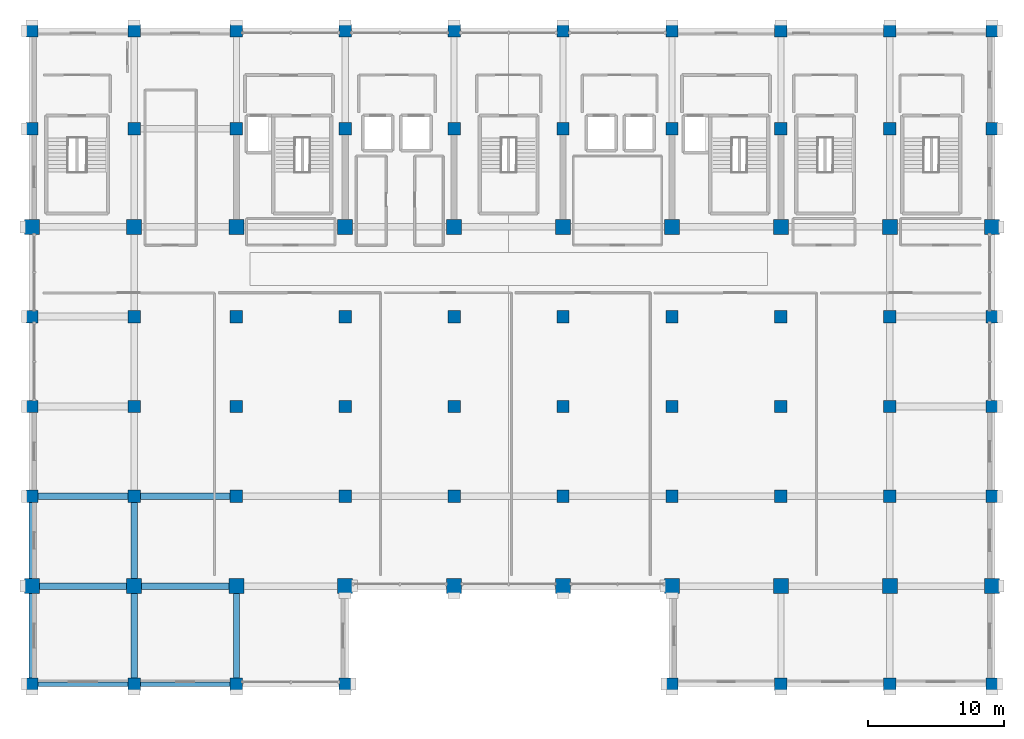
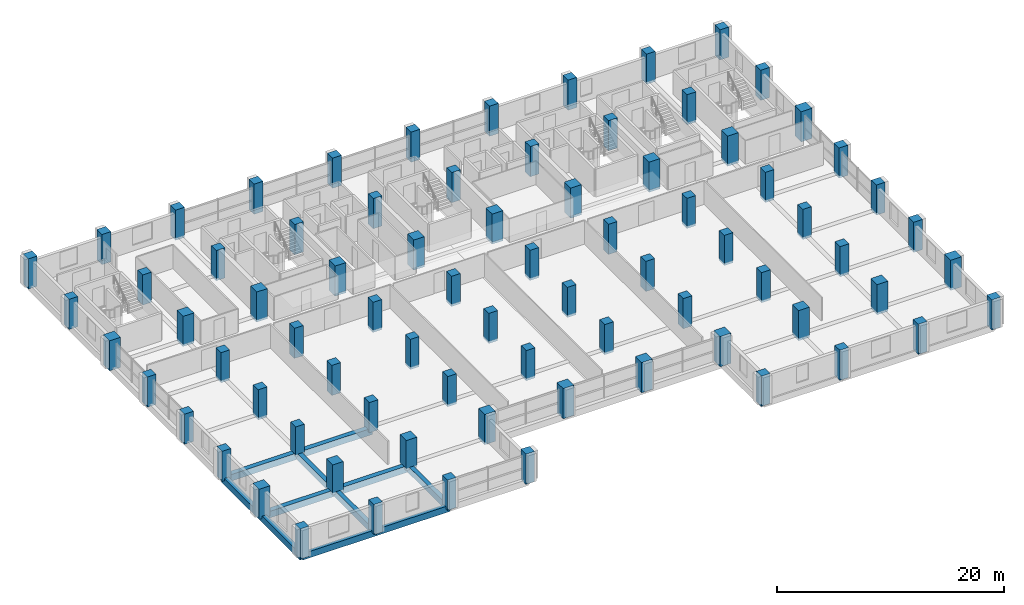
# One storey, part 1 of 21: 78 columns, 11 beams.
"""IFC4 building model written with IfcOpenShell, lengths in metres."""

from ifc_helpers import new_model, si_unit, direction, frame, origin, origin_2d, place, context, subcontext, project, spatial, rectangle, extrude, material, material_profile, profile_set, type_object, element, save


model = new_model("IFC4")

# Units and contexts
model_context = context("Model", 3, precision=1e-05, world=origin(), true_north=direction((0.0, 1.0)))
body_context = subcontext(model_context, "Body", "Model", "MODEL_VIEW")
ifc_project = project(units=[si_unit("LENGTHUNIT", "METRE"), si_unit("AREAUNIT", "SQUARE_METRE"), si_unit("VOLUMEUNIT", "CUBIC_METRE"), si_unit("PLANEANGLEUNIT", "RADIAN"), si_unit("MASSUNIT", "GRAM", prefix="KILO")], contexts=[model_context])

# Site, building, storey
site_placement = place(None, origin())
site = spatial("IfcSite", under=ifc_project, at=site_placement, CompositionType="ELEMENT")
building_placement = place(site_placement, origin())
building = spatial("IfcBuilding", under=site, at=building_placement, Name="Akrevak Sports Hall", CompositionType="ELEMENT")
storey_placement = place(building_placement, frame((0.0, 0.0, 34.050048828125)))
storey = spatial("IfcBuildingStorey", under=building, at=storey_placement, Name="L07", CompositionType="ELEMENT", Elevation=34.050048828125)

# Columns
ifc_material_1 = material(Name="Concrete C50/60", Category="concrete")
ifc_material_profile_1 = material_profile(ifc_material_1, rectangle(XDim=1.10009765625, YDim=1.10009765625, at=origin_2d()), Name="RC 1100x1100", Category="concrete")
ifc_profile_set_1 = profile_set([ifc_material_profile_1], Name="Concrete C50/60")
column_type_1 = type_object("IfcColumnType", Name="STR-COL-RC1100", PredefinedType="COLUMN", material=ifc_profile_set_1)
for number, where, z_axis, x_axis, name in (
    (1, (45.0, 28.800048828125, -0.25), (0.0, 0.0, 1.0), (1.0, 0.0, 0.0), "Column 7/E (L07)"),
    (2, (45.0, 55.199951171875, -0.25), (0.0, 0.0, 1.0), (1.0, 0.0, 0.0), "Column 7/I (L07)"),
    (3, (52.5, 28.800048828125, -0.25), (0.0, 0.0, 1.0), (1.0, 0.0, 0.0), "Column 8/E (L07)"),
    (4, (52.5, 55.199951171875, -0.25), (0.0, 0.0, 1.0), (1.0, 0.0, 0.0), "Column 8/I (L07)"),
    (5, (60.0, 28.800048828125, -0.25), (0.0, 0.0, 1.0), (1.0, 0.0, 0.0), "Column 9/E (L07)"),
    (6, (60.0, 55.199951171875, -0.25), (0.0, 0.0, 1.0), (1.0, 0.0, 0.0), "Column 9/I (L07)"),
    (7, (68.0, 28.800048828125, -0.25), (0.0, 0.0, 1.0), (1.0, 0.0, 0.0), "Column 10/E (L07)"),
    (8, (68.0, 55.199951171875, -0.25), (0.0, 0.0, 1.0), (1.0, 0.0, 0.0), "Column 10/I (L07)"),
    (9, (76.0, 28.800048828125, -0.25), (0.0, 0.0, 1.0), (1.0, 0.0, 0.0), "Column 11/E (L07)"),
    (10, (76.0, 55.199951171875, -0.25), (0.0, 0.0, 1.0), (1.0, 0.0, 0.0), "Column 11/I (L07)"),
    (11, (84.0, 28.800048828125, -0.25), (0.0, 0.0, 1.0), (1.0, 0.0, 0.0), "Column 12/E (L07)"),
    (12, (84.0, 55.199951171875, -0.25), (0.0, 0.0, 1.0), (1.0, 0.0, 0.0), "Column 12/I (L07)"),
    (13, (92.0, 28.800048828125, -0.25), (0.0, 0.0, 1.0), (1.0, 0.0, 0.0), "Column 13/E (L07)"),
    (14, (92.0, 55.199951171875, -0.25), (0.0, 0.0, 1.0), (1.0, 0.0, 0.0), "Column 13/I (L07)"),
    (15, (100.0, 28.800048828125, -0.25), (0.0, 0.0, 1.0), (1.0, 0.0, 0.0), "Column 14/E (L07)"),
    (16, (100.0, 55.199951171875, -0.25), (0.0, 0.0, 1.0), (1.0, 0.0, 0.0), "Column 14/I (L07)"),
    (17, (108.0, 28.800048828125, -0.25), (0.0, 0.0, 1.0), (1.0, 0.0, 0.0), "Column 15/E (L07)"),
    (18, (108.0, 55.199951171875, -0.25), (0.0, 0.0, 1.0), (1.0, 0.0, 0.0), "Column 15/I (L07)"),
    (19, (115.5, 28.800048828125, -0.25), (0.0, 0.0, 1.0), (1.0, 0.0, 0.0), "Column 16/E (L07)"),
    (20, (115.5, 55.199951171875, -0.25), (0.0, 0.0, 1.0), (1.0, 0.0, 0.0), "Column 16/I (L07)"),
):
    element("IfcColumn", number, at=place(storey_placement, frame(where, z_axis=z_axis, x_axis=x_axis)), inside=storey, type_object=column_type_1, Name=name, PredefinedType="COLUMN", context=body_context, shape_type="SweptSolid", body=[
        extrude(rectangle(XDim=1.10009765625, YDim=1.10009765625, at=origin_2d()), origin(), (0.0, 0.0, 1.0), 3.25),
    ])
ifc_material_2 = material(Name="Concrete C40/50", Category="concrete")
ifc_material_profile_2 = material_profile(ifc_material_2, rectangle(XDim=0.89990234375, YDim=0.89990234375, at=origin_2d()), Name="RC 900x900", Category="concrete")
ifc_profile_set_2 = profile_set([ifc_material_profile_2], Name="Concrete C40/50")
column_type_2 = type_object("IfcColumnType", Name="STR-COL-RC900", PredefinedType="COLUMN", material=ifc_profile_set_2)
for number, where, z_axis, x_axis, name in (
    (21, (45.0, 21.60009765625, -0.25), (0.0, 0.0, 1.0), (1.0, 0.0, 0.0), "Column 7/D (L07)"),
    (22, (45.0, 35.39990234375, -0.25), (0.0, 0.0, 1.0), (1.0, 0.0, 0.0), "Column 7/F (L07)"),
    (23, (45.0, 42.0, -0.25), (0.0, 0.0, 1.0), (1.0, 0.0, 0.0), "Column 7/G (L07)"),
    (24, (45.0, 48.60009765625, -0.25), (0.0, 0.0, 1.0), (1.0, 0.0, 0.0), "Column 7/H (L07)"),
    (25, (45.0, 62.39990234375, -0.25), (0.0, 0.0, 1.0), (1.0, 0.0, 0.0), "Column 7/J (L07)"),
    (26, (45.0, 69.60009765625, -0.25), (0.0, 0.0, 1.0), (1.0, 0.0, 0.0), "Column 7/K (L07)"),
    (27, (52.5, 21.60009765625, -0.25), (0.0, 0.0, 1.0), (1.0, 0.0, 0.0), "Column 8/D (L07)"),
    (28, (52.5, 35.39990234375, -0.25), (0.0, 0.0, 1.0), (1.0, 0.0, 0.0), "Column 8/F (L07)"),
    (29, (52.5, 42.0, -0.25), (0.0, 0.0, 1.0), (1.0, 0.0, 0.0), "Column 8/G (L07)"),
    (30, (52.5, 48.60009765625, -0.25), (0.0, 0.0, 1.0), (1.0, 0.0, 0.0), "Column 8/H (L07)"),
    (31, (52.5, 62.39990234375, -0.25), (0.0, 0.0, 1.0), (1.0, 0.0, 0.0), "Column 8/J (L07)"),
    (32, (52.5, 69.60009765625, -0.25), (0.0, 0.0, 1.0), (1.0, 0.0, 0.0), "Column 8/K (L07)"),
    (33, (60.0, 21.60009765625, -0.25), (0.0, 0.0, 1.0), (1.0, 0.0, 0.0), "Column 9/D (L07)"),
    (34, (60.0, 35.39990234375, -0.25), (0.0, 0.0, 1.0), (1.0, 0.0, 0.0), "Column 9/F (L07)"),
    (35, (60.0, 42.0, -0.25), (0.0, 0.0, 1.0), (1.0, 0.0, 0.0), "Column 9/G (L07)"),
    (36, (60.0, 48.60009765625, -0.25), (0.0, 0.0, 1.0), (1.0, 0.0, 0.0), "Column 9/H (L07)"),
    (37, (60.0, 62.39990234375, -0.25), (0.0, 0.0, 1.0), (1.0, 0.0, 0.0), "Column 9/J (L07)"),
    (38, (60.0, 69.60009765625, -0.25), (0.0, 0.0, 1.0), (1.0, 0.0, 0.0), "Column 9/K (L07)"),
    (39, (68.0, 21.60009765625, -0.25), (0.0, 0.0, 1.0), (1.0, 0.0, 0.0), "Column 10/D (L07)"),
    (40, (68.0, 35.39990234375, -0.25), (0.0, 0.0, 1.0), (1.0, 0.0, 0.0), "Column 10/F (L07)"),
    (41, (68.0, 42.0, -0.25), (0.0, 0.0, 1.0), (1.0, 0.0, 0.0), "Column 10/G (L07)"),
    (42, (68.0, 48.60009765625, -0.25), (0.0, 0.0, 1.0), (1.0, 0.0, 0.0), "Column 10/H (L07)"),
    (43, (68.0, 62.39990234375, -0.25), (0.0, 0.0, 1.0), (1.0, 0.0, 0.0), "Column 10/J (L07)"),
    (44, (68.0, 69.60009765625, -0.25), (0.0, 0.0, 1.0), (1.0, 0.0, 0.0), "Column 10/K (L07)"),
    (45, (76.0, 35.39990234375, -0.25), (0.0, 0.0, 1.0), (1.0, 0.0, 0.0), "Column 11/F (L07)"),
    (46, (76.0, 42.0, -0.25), (0.0, 0.0, 1.0), (1.0, 0.0, 0.0), "Column 11/G (L07)"),
    (47, (76.0, 48.60009765625, -0.25), (0.0, 0.0, 1.0), (1.0, 0.0, 0.0), "Column 11/H (L07)"),
    (48, (76.0, 62.39990234375, -0.25), (0.0, 0.0, 1.0), (1.0, 0.0, 0.0), "Column 11/J (L07)"),
    (49, (76.0, 69.60009765625, -0.25), (0.0, 0.0, 1.0), (1.0, 0.0, 0.0), "Column 11/K (L07)"),
    (50, (84.0, 35.39990234375, -0.25), (0.0, 0.0, 1.0), (1.0, 0.0, 0.0), "Column 12/F (L07)"),
    (51, (84.0, 42.0, -0.25), (0.0, 0.0, 1.0), (1.0, 0.0, 0.0), "Column 12/G (L07)"),
    (52, (84.0, 48.60009765625, -0.25), (0.0, 0.0, 1.0), (1.0, 0.0, 0.0), "Column 12/H (L07)"),
    (53, (84.0, 62.39990234375, -0.25), (0.0, 0.0, 1.0), (1.0, 0.0, 0.0), "Column 12/J (L07)"),
    (54, (84.0, 69.60009765625, -0.25), (0.0, 0.0, 1.0), (1.0, 0.0, 0.0), "Column 12/K (L07)"),
    (55, (92.0, 21.60009765625, -0.25), (0.0, 0.0, 1.0), (1.0, 0.0, 0.0), "Column 13/D (L07)"),
    (56, (92.0, 35.39990234375, -0.25), (0.0, 0.0, 1.0), (1.0, 0.0, 0.0), "Column 13/F (L07)"),
    (57, (92.0, 42.0, -0.25), (0.0, 0.0, 1.0), (1.0, 0.0, 0.0), "Column 13/G (L07)"),
    (58, (92.0, 48.60009765625, -0.25), (0.0, 0.0, 1.0), (1.0, 0.0, 0.0), "Column 13/H (L07)"),
    (59, (92.0, 62.39990234375, -0.25), (0.0, 0.0, 1.0), (1.0, 0.0, 0.0), "Column 13/J (L07)"),
    (60, (92.0, 69.60009765625, -0.25), (0.0, 0.0, 1.0), (1.0, 0.0, 0.0), "Column 13/K (L07)"),
    (61, (100.0, 21.60009765625, -0.25), (0.0, 0.0, 1.0), (1.0, 0.0, 0.0), "Column 14/D (L07)"),
    (62, (100.0, 35.39990234375, -0.25), (0.0, 0.0, 1.0), (1.0, 0.0, 0.0), "Column 14/F (L07)"),
    (63, (100.0, 42.0, -0.25), (0.0, 0.0, 1.0), (1.0, 0.0, 0.0), "Column 14/G (L07)"),
    (64, (100.0, 48.60009765625, -0.25), (0.0, 0.0, 1.0), (1.0, 0.0, 0.0), "Column 14/H (L07)"),
    (65, (100.0, 62.39990234375, -0.25), (0.0, 0.0, 1.0), (1.0, 0.0, 0.0), "Column 14/J (L07)"),
    (66, (100.0, 69.60009765625, -0.25), (0.0, 0.0, 1.0), (1.0, 0.0, 0.0), "Column 14/K (L07)"),
    (67, (108.0, 21.60009765625, -0.25), (0.0, 0.0, 1.0), (1.0, 0.0, 0.0), "Column 15/D (L07)"),
    (68, (108.0, 35.39990234375, -0.25), (0.0, 0.0, 1.0), (1.0, 0.0, 0.0), "Column 15/F (L07)"),
    (69, (108.0, 42.0, -0.25), (0.0, 0.0, 1.0), (1.0, 0.0, 0.0), "Column 15/G (L07)"),
    (70, (108.0, 48.60009765625, -0.25), (0.0, 0.0, 1.0), (1.0, 0.0, 0.0), "Column 15/H (L07)"),
    (71, (108.0, 62.39990234375, -0.25), (0.0, 0.0, 1.0), (1.0, 0.0, 0.0), "Column 15/J (L07)"),
    (72, (108.0, 69.60009765625, -0.25), (0.0, 0.0, 1.0), (1.0, 0.0, 0.0), "Column 15/K (L07)"),
    (73, (115.5, 21.60009765625, -0.25), (0.0, 0.0, 1.0), (1.0, 0.0, 0.0), "Column 16/D (L07)"),
    (74, (115.5, 35.39990234375, -0.25), (0.0, 0.0, 1.0), (1.0, 0.0, 0.0), "Column 16/F (L07)"),
    (75, (115.5, 42.0, -0.25), (0.0, 0.0, 1.0), (1.0, 0.0, 0.0), "Column 16/G (L07)"),
    (76, (115.5, 48.60009765625, -0.25), (0.0, 0.0, 1.0), (1.0, 0.0, 0.0), "Column 16/H (L07)"),
    (77, (115.5, 62.39990234375, -0.25), (0.0, 0.0, 1.0), (1.0, 0.0, 0.0), "Column 16/J (L07)"),
    (78, (115.5, 69.60009765625, -0.25), (0.0, 0.0, 1.0), (1.0, 0.0, 0.0), "Column 16/K (L07)"),
):
    element("IfcColumn", number, at=place(storey_placement, frame(where, z_axis=z_axis, x_axis=x_axis)), inside=storey, type_object=column_type_2, Name=name, PredefinedType="COLUMN", context=body_context, shape_type="SweptSolid", body=[
        extrude(rectangle(XDim=0.89990234375, YDim=0.89990234375, at=origin_2d()), origin(), (0.0, 0.0, 1.0), 3.25),
    ])

# Beams
ifc_material_profile_3 = material_profile(ifc_material_2, rectangle(XDim=0.449951171875, YDim=0.699951171875, at=origin_2d()), Name="BM 450x700", Category="concrete")
ifc_profile_set_3 = profile_set([ifc_material_profile_3], Name="Concrete C40/50")
beam_type_1 = type_object("IfcBeamType", Name="STR-BM-RC450x700", PredefinedType="BEAM", material=ifc_profile_set_3)
beam_1_placement = place(storey_placement, frame((45.0, 21.60009765625, -0.35009765625), z_axis=(0.0, 1.0, 0.0), x_axis=(-1.0, 0.0, 0.0)))
element("IfcBeam", 79, at=beam_1_placement, inside=storey, type_object=beam_type_1, Name="Girder 7/D-E (L07)", PredefinedType="BEAM", context=body_context, shape_type="SweptSolid", body=[
    extrude(rectangle(XDim=0.449951171875, YDim=0.699951171875, at=origin_2d()), origin(), (0.0, 0.0, 1.0), 7.199951171875),
])
beam_2_placement = place(storey_placement, frame((45.0, 28.800048828125, -0.35009765625), z_axis=(0.0, 1.0, 0.0), x_axis=(-1.0, 0.0, 0.0)))
element("IfcBeam", 80, at=beam_2_placement, inside=storey, type_object=beam_type_1, Name="Girder 7/E-F (L07)", PredefinedType="BEAM", context=body_context, shape_type="SweptSolid", body=[
    extrude(rectangle(XDim=0.449951171875, YDim=0.699951171875, at=origin_2d()), origin(), (0.0, 0.0, 1.0), 6.599853515625),
])
beam_3_placement = place(storey_placement, frame((52.5, 21.60009765625, -0.35009765625), z_axis=(0.0, 1.0, 0.0), x_axis=(-1.0, 0.0, 0.0)))
element("IfcBeam", 81, at=beam_3_placement, inside=storey, type_object=beam_type_1, Name="Girder 8/D-E (L07)", PredefinedType="BEAM", context=body_context, shape_type="SweptSolid", body=[
    extrude(rectangle(XDim=0.449951171875, YDim=0.699951171875, at=origin_2d()), origin(), (0.0, 0.0, 1.0), 7.199951171875),
])
beam_4_placement = place(storey_placement, frame((52.5, 28.800048828125, -0.35009765625), z_axis=(0.0, 1.0, 0.0), x_axis=(-1.0, 0.0, 0.0)))
element("IfcBeam", 82, at=beam_4_placement, inside=storey, type_object=beam_type_1, Name="Girder 8/E-F (L07)", PredefinedType="BEAM", context=body_context, shape_type="SweptSolid", body=[
    extrude(rectangle(XDim=0.449951171875, YDim=0.699951171875, at=origin_2d()), origin(), (0.0, 0.0, 1.0), 6.599853515625),
])
beam_5_placement = place(storey_placement, frame((60.0, 21.60009765625, -0.35009765625), z_axis=(0.0, 1.0, 0.0), x_axis=(-1.0, 0.0, 0.0)))
element("IfcBeam", 83, at=beam_5_placement, inside=storey, type_object=beam_type_1, Name="Girder 9/D-E (L07)", PredefinedType="BEAM", context=body_context, shape_type="SweptSolid", body=[
    extrude(rectangle(XDim=0.449951171875, YDim=0.699951171875, at=origin_2d()), origin(), (0.0, 0.0, 1.0), 7.199951171875),
])
ifc_material_profile_4 = material_profile(ifc_material_2, rectangle(XDim=0.5, YDim=0.699951171875, at=origin_2d()), Name="BM 500x700", Category="concrete")
ifc_profile_set_4 = profile_set([ifc_material_profile_4], Name="Concrete C40/50")
beam_type_2 = type_object("IfcBeamType", Name="STR-BM-RC500x700", PredefinedType="BEAM", material=ifc_profile_set_4)
for number, where, z_axis, x_axis, name in (
    (84, (45.0, 28.800048828125, -0.35009765625), (1.0, 0.0, 0.0), (0.0, 1.0, 0.0), "Girder E/7-8 (L07)"),
    (85, (52.5, 28.800048828125, -0.35009765625), (1.0, 0.0, 0.0), (0.0, 1.0, 0.0), "Girder E/8-9 (L07)"),
    (86, (45.0, 35.39990234375, -0.35009765625), (1.0, 0.0, 0.0), (0.0, 1.0, 0.0), "Girder F/7-8 (L07)"),
    (87, (52.5, 35.39990234375, -0.35009765625), (1.0, 0.0, 0.0), (0.0, 1.0, 0.0), "Girder F/8-9 (L07)"),
):
    element("IfcBeam", number, at=place(storey_placement, frame(where, z_axis=z_axis, x_axis=x_axis)), inside=storey, type_object=beam_type_2, Name=name, PredefinedType="BEAM", context=body_context, shape_type="SweptSolid", body=[
        extrude(rectangle(XDim=0.5, YDim=0.699951171875, at=origin_2d()), origin(), (0.0, 0.0, 1.0), 7.5),
    ])
ifc_material_profile_5 = material_profile(ifc_material_2, rectangle(XDim=0.320068359375, YDim=0.679931640625, at=origin_2d()), Name="SPD 320x680", Category="concrete")
ifc_profile_set_5 = profile_set([ifc_material_profile_5], Name="Concrete C40/50")
beam_type_3 = type_object("IfcBeamType", Name="STR-SPD-RC320x680", PredefinedType="SPANDREL", material=ifc_profile_set_5)
for number, where, z_axis, x_axis, name in (
    (88, (45.0, 21.60009765625, -0.340087890625), (1.0, 0.0, 0.0), (0.0, 1.0, 0.0), "Girder D/7-8 (L07)"),
    (89, (52.5, 21.60009765625, -0.340087890625), (1.0, 0.0, 0.0), (0.0, 1.0, 0.0), "Girder D/8-9 (L07)"),
):
    element("IfcBeam", number, at=place(storey_placement, frame(where, z_axis=z_axis, x_axis=x_axis)), inside=storey, type_object=beam_type_3, Name=name, PredefinedType="SPANDREL", context=body_context, shape_type="SweptSolid", body=[
        extrude(rectangle(XDim=0.320068359375, YDim=0.679931640625, at=origin_2d()), origin(), (0.0, 0.0, 1.0), 7.5),
    ])

save(model, "model.ifc")
